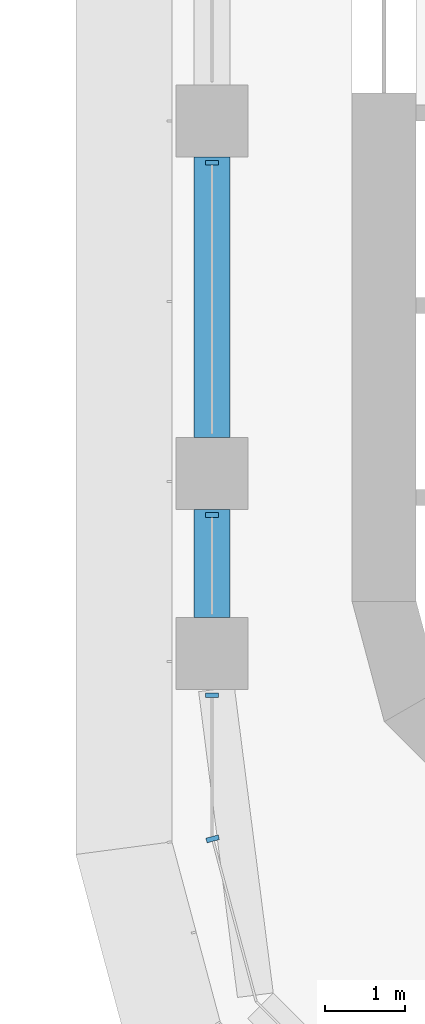
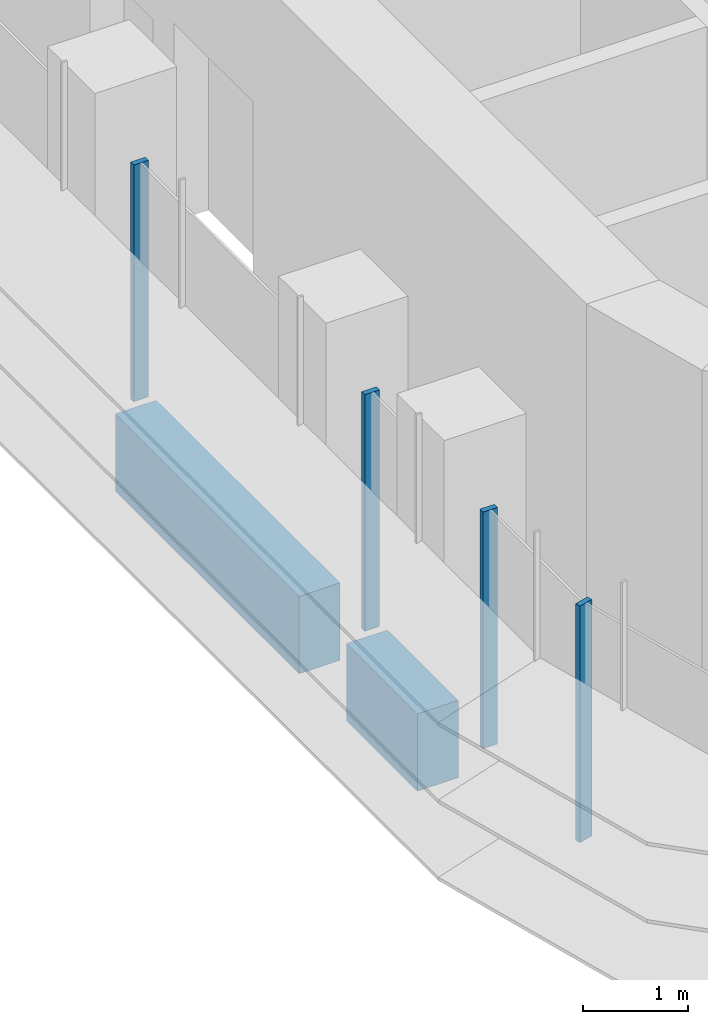
# One storey, part 2 of 21: 4 members, 2 beams, 2 elements without a shape of their own.
"""IFC4 building model written with IfcOpenShell, lengths in metres."""

from ifc_helpers import new_model, si_unit, direction, frame, origin, origin_2d, place, context, subcontext, project, spatial, polyline, rectangle, outline, extrude, source, transform, mapped, material, material_profile, profile_set, type_object, element, aggregate, save


model = new_model("IFC4")

# Units and contexts
model_context = context("Model", 3, precision=1e-05, world=origin(), true_north=direction((0.0, 1.0)))
body_context = subcontext(model_context, "Body", "Model", "MODEL_VIEW")
ifc_project = project(units=[si_unit("LENGTHUNIT", "METRE"), si_unit("AREAUNIT", "SQUARE_METRE"), si_unit("VOLUMEUNIT", "CUBIC_METRE"), si_unit("PLANEANGLEUNIT", "RADIAN"), si_unit("MASSUNIT", "GRAM", prefix="KILO")], contexts=[model_context])

# Site, building, storey
site_placement = place(None, origin())
site = spatial("IfcSite", under=ifc_project, at=site_placement, CompositionType="ELEMENT")
building_placement = place(site_placement, origin())
building = spatial("IfcBuilding", under=site, at=building_placement, Name="Zarbagh Exchange Tower", CompositionType="ELEMENT")
storey_placement = place(building_placement, frame((0.0, 0.0, 120.800048828125)))
storey = spatial("IfcBuildingStorey", under=building, at=storey_placement, Name="L28", CompositionType="ELEMENT", Elevation=120.800048828125)

# Beams
ifc_material_1 = material(Name="Concrete C60/75", Category="concrete")
ifc_material_profile = material_profile(ifc_material_1, rectangle(XDim=0.449951171875, YDim=0.89990234375, at=origin_2d()), Name="RC spandrel beam 450 x 900 C60/75")
ifc_profile_set = profile_set([ifc_material_profile], Name="Concrete C60/75")
beam_type = type_object("IfcBeamType", Name="RC spandrel beam 450 x 900 C60/75", PredefinedType="SPANDREL", material=ifc_profile_set)
beam_1_placement = place(storey_placement, frame((-6.25, -26.449951171875, -0.60009765625), z_axis=(0.0, 1.0, 0.0), x_axis=(-1.0, 0.0, 0.0)))
element("IfcBeam", 1, at=beam_1_placement, inside=storey, type_object=beam_type, Name="RC spandrel beam", PredefinedType="SPANDREL", context=body_context, shape_type="SweptSolid", body=[
    extrude(rectangle(XDim=0.449951171875, YDim=0.89990234375, at=origin_2d()), origin(), (0.0, 0.0, 1.0), 1.349853515625),
])
beam_2_placement = place(storey_placement, frame((-6.25, -24.199951171875, -0.60009765625), z_axis=(0.0, 1.0, 0.0), x_axis=(-1.0, 0.0, 0.0)))
element("IfcBeam", 2, at=beam_2_placement, inside=storey, type_object=beam_type, Name="RC spandrel beam", PredefinedType="SPANDREL", context=body_context, shape_type="SweptSolid", body=[
    extrude(rectangle(XDim=0.449951171875, YDim=0.89990234375, at=origin_2d()), origin(), (0.0, 0.0, 1.0), 3.5),
])

# Curtain wall, members
ifc_material_2 = material(Name="Anodised aluminium frame and glazing", Category="aluminium")
curtain_wall_type = type_object("IfcCurtainWallType", Name="CWA Ribbon glazing, lower zones", PredefinedType="NOTDEFINED", material=ifc_material_2)
curtain_wall_1_placement = place(storey_placement, origin())
curtain_wall_1 = element("IfcCurtainWall", 3, at=curtain_wall_1_placement, inside=storey, type_object=curtain_wall_type, Name="CWA44 curtain wall", PredefinedType="NOTDEFINED")
ifc_material_3 = material(Name="Anodised aluminium frame", Category="aluminium")
member_type = type_object("IfcMemberType", Name="MUA Mullion, anodised aluminium frame", PredefinedType="MULLION", material=ifc_material_3)
shared_shape = source(origin(), body_context, "Body", "SweptSolid", [
    extrude(outline(polyline([(0.0, -0.080078125), (0.06005859375, -0.080078125), (0.06005859375, 0.080078125), (0.0, 0.080078125), (0.0, -0.080078125)])), origin(), (0.0, 0.0, 1.0), 2.75),
])
placement = place(storey_placement, origin())
member_1 = element("IfcMember", 4, at=placement, type_object=member_type, Name="CWA44 mullion 3.1", PredefinedType="MULLION", context=body_context, shape_type="MappedRepresentation", body=[
    mapped(shared_shape, transform((-6.25, -20.739990234375, 0.0), x_axis=(0.0, -1.0, 0.0), y_axis=(1.0, 0.0, 0.0), z_axis=(0.0, 0.0, 1.0))),
])
member_2 = element("IfcMember", 5, at=placement, type_object=member_type, Name="CWA44 mullion 4.1", PredefinedType="MULLION", context=body_context, shape_type="MappedRepresentation", body=[
    mapped(shared_shape, transform((-6.25, -25.14013671875, 0.0), x_axis=(0.0, -1.0, 0.0), y_axis=(1.0, 0.0, 0.0), z_axis=(0.0, 0.0, 1.0))),
])
member_3 = element("IfcMember", 6, at=placement, type_object=member_type, Name="CWA44 mullion 5.1", PredefinedType="MULLION", context=body_context, shape_type="MappedRepresentation", body=[
    mapped(shared_shape, transform((-6.25, -27.39013671875, 0.0), x_axis=(0.0, -1.0, 0.0), y_axis=(1.0, 0.0, 0.0), z_axis=(0.0, 0.0, 1.0))),
])
aggregate(curtain_wall_1, [member_1, member_2, member_3])

# Curtain wall, member
curtain_wall_2_placement = place(storey_placement, origin())
curtain_wall_2 = element("IfcCurtainWall", 7, at=curtain_wall_2_placement, inside=storey, type_object=curtain_wall_type, Name="CWA45 curtain wall", PredefinedType="NOTDEFINED")
member_4 = element("IfcMember", 8, at=placement, type_object=member_type, Name="CWA45 mullion 1.1", PredefinedType="MULLION", context=body_context, shape_type="MappedRepresentation", body=[
    mapped(shared_shape, transform((-6.25, -29.18408203125, 0.0), x_axis=(0.258824779902, -0.965924289636, 0.0), y_axis=(0.965924289636, 0.258824779902, 0.0), z_axis=(0.0, 0.0, 1.0))),
])
aggregate(curtain_wall_2, [member_4])

save(model, "model.ifc")
